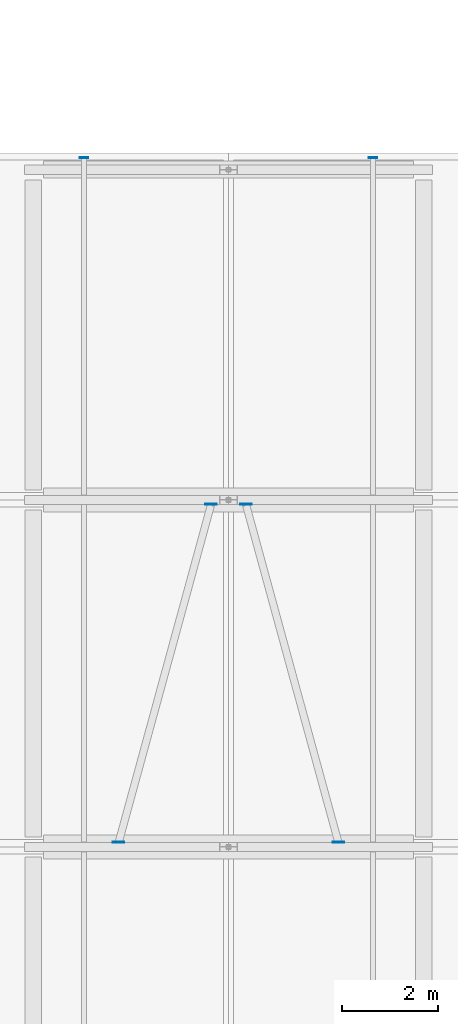
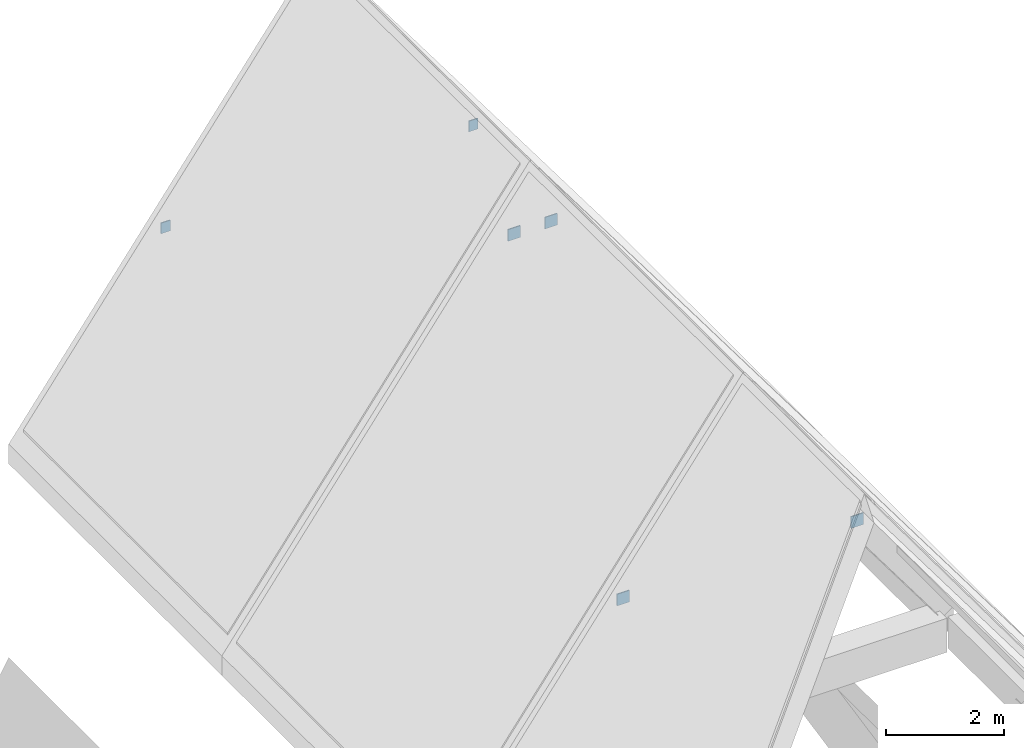
# One storey, part 21 of 29: 6 discrete accessories.
"""IFC4 building model written with IfcOpenShell, lengths in metres."""

import ifcopenshell
import ifcopenshell.guid

model = None  # the IFC model being written
_history = None  # IfcOwnerHistory: only IFC2X3 demands one
_inside = {}  # id of a spatial element -> (the spatial element, [elements in it])
_under = {}  # id of a project, library or spatial element -> (it, [spatial elements below it])
_declared = {}  # id of a project -> (the project, [libraries it declares])
_typed = {}  # id of a type object -> (the type object, [elements of that type])
_made_of = {}  # id of a material, layer set ... -> (it, [elements and type objects made of it])


def new_model(schema):
    """Start an empty IFC model of exactly this schema.

    Asked for "IFC4X3", IfcOpenShell would pick the latest addendum, in which some entities
    have other attributes; the version numbers below select the first issue.
    IFC2X3 requires an IfcOwnerHistory on every rooted entity: one is made here for all.
    """
    global model, _history
    if schema == "IFC4X3":
        model = ifcopenshell.file(schema_version=(4, 3, 0, 0))
    else:
        model = ifcopenshell.file(schema=schema)
    _inside.clear()
    _under.clear()
    _declared.clear()
    _typed.clear()
    _made_of.clear()
    _history = None
    if model.schema == "IFC2X3":
        org = make("IfcOrganization", Name="unknown")
        user = make(
            "IfcPersonAndOrganization",
            ThePerson=make("IfcPerson", FamilyName="unknown"),
            TheOrganization=org,
        )
        app = make(
            "IfcApplication",
            ApplicationDeveloper=org,
            Version="unknown",
            ApplicationFullName="unknown",
            ApplicationIdentifier="unknown",
        )
        _history = make(
            "IfcOwnerHistory",
            OwningUser=user,
            OwningApplication=app,
            ChangeAction="ADDED",
            CreationDate=0,
        )
    return model


def make(cls, **values):
    """One entity of the class cls with the attributes given. An attribute that is None is left unset."""
    return model.create_entity(
        cls, **{name: value for name, value in values.items() if value is not None}
    )


def rooted(cls, **values):
    """An entity with a GlobalId (a new one), such as an element, a storey or a relation."""
    return make(cls, GlobalId=ifcopenshell.guid.new(), OwnerHistory=_history, **values)


def si_unit(unit_type, name, prefix=None):
    """IfcSIUnit, for example si_unit("LENGTHUNIT", "METRE", prefix="MILLI")."""
    return make("IfcSIUnit", UnitType=unit_type, Prefix=prefix, Name=name)


def derived_unit(unit_type, elements):
    """IfcDerivedUnit: a product of units, each with its exponent."""
    return make(
        "IfcDerivedUnit",
        Elements=[
            make("IfcDerivedUnitElement", Unit=unit, Exponent=power)
            for unit, power in elements
        ],
        UnitType=unit_type,
    )


def assignment(units):
    """IfcUnitAssignment: the units of a project."""
    return None if units is None else make("IfcUnitAssignment", Units=units)


def point(xyz):
    """IfcCartesianPoint."""
    return None if xyz is None else make("IfcCartesianPoint", Coordinates=xyz)


def direction(xyz):
    """IfcDirection."""
    return None if xyz is None else make("IfcDirection", DirectionRatios=xyz)


def frame(location, z_axis=None, x_axis=None):
    """IfcAxis2Placement3D, a coordinate frame: its origin and axes. An axis left out is left unset."""
    return make(
        "IfcAxis2Placement3D",
        Location=point(location),
        Axis=direction(z_axis),
        RefDirection=direction(x_axis),
    )


def frame_2d(location, x_axis=None):
    """IfcAxis2Placement2D, a coordinate frame in the plane: its origin and x axis."""
    return make(
        "IfcAxis2Placement2D", Location=point(location), RefDirection=direction(x_axis)
    )


def origin():
    """The frame at (0, 0, 0) with its axes left unset."""
    return frame((0.0, 0.0, 0.0))


def origin_2d():
    """The frame at (0, 0) in the plane with its x axis left unset."""
    return frame_2d((0.0, 0.0))


def place(relative_to, where):
    """IfcLocalPlacement: puts the frame where relative to a parent placement (None: the world)."""
    return make(
        "IfcLocalPlacement", PlacementRelTo=relative_to, RelativePlacement=where
    )


def context(
    kind, dimensions, precision=None, world=None, true_north=None, identifier=None
):
    """IfcGeometricRepresentationContext, for example the 3D "Model" context."""
    return make(
        "IfcGeometricRepresentationContext",
        ContextIdentifier=identifier,
        ContextType=kind,
        CoordinateSpaceDimension=dimensions,
        Precision=precision,
        WorldCoordinateSystem=world,
        TrueNorth=true_north,
    )


def subcontext(parent, identifier, kind, view, scale=None):
    """IfcGeometricRepresentationSubContext, for example "Body" below "Model"."""
    return make(
        "IfcGeometricRepresentationSubContext",
        ContextIdentifier=identifier,
        ContextType=kind,
        ParentContext=parent,
        TargetScale=scale,
        TargetView=view,
    )


def project(units=None, contexts=None):
    """IfcProject with its units and contexts."""
    return rooted(
        "IfcProject",
        Name="project",
        RepresentationContexts=contexts,
        UnitsInContext=assignment(units),
    )


def spatial(cls, under=None, at=None, **own):
    """A site, building, storey or space (cls), placed at a placement, below another one or the project."""
    s = rooted(cls, ObjectPlacement=at, **own)
    if under is not None:
        _under.setdefault(under.id(), (under, []))[1].append(s)
    return s


def profile(cls, at=None, kind="AREA", **sizes):
    """A parametric profile (cls). Its sizes go by their IFC names, for example OverallWidth=200.0."""
    return make(cls, ProfileType=kind, Position=at, **sizes)


def rectangle(**sizes):
    """IfcRectangleProfileDef."""
    return profile("IfcRectangleProfileDef", **sizes)


def extrude(swept, where, along, depth):
    """IfcExtrudedAreaSolid: the profile swept, set in the frame where, extruded along a direction by depth."""
    return make(
        "IfcExtrudedAreaSolid",
        SweptArea=swept,
        Position=where,
        ExtrudedDirection=direction(along),
        Depth=depth,
    )


def shape(context_of_items, identifier, shape_type, items):
    """IfcShapeRepresentation: the items that make up one representation, for example the "Body"."""
    return make(
        "IfcShapeRepresentation",
        ContextOfItems=context_of_items,
        RepresentationIdentifier=identifier,
        RepresentationType=shape_type,
        Items=items,
    )


def material(Name=None, Category=None):
    """IfcMaterial."""
    return make("IfcMaterial", Name=Name, Category=Category)


def made_of(thing, what):
    """Note that an element or type object is made of a material, layer set ...; save() writes the relation."""
    if what is not None:
        _made_of.setdefault(what.id(), (what, []))[1].append(thing)
    return thing


def type_object(cls, material=None, **own):
    """A type object (cls), such as IfcWallType, which elements share."""
    return made_of(rooted(cls, **own), material)


def element(
    cls,
    number,
    at=None,
    inside=None,
    cuts=None,
    type_object=None,
    material=None,
    context=None,
    identifier="Body",
    shape_type=None,
    held_by="IfcProductDefinitionShape",
    body=None,
    shapes=None,
    **own,
):
    """One element of the class cls, such as IfcWall. Its Tag is "e" and its number.

    at: its placement. inside: the storey or other place that contains it. cuts: it is an
    opening in that element (IfcRelVoidsElement). A single representation is given by context,
    identifier, shape_type and body (its items); several are given by shapes. held_by: the class
    of the entity that holds the representations. save() writes the other relations.
    """
    e = rooted(cls, Tag="e%d" % number, ObjectPlacement=at, **own)
    if body is not None:
        shapes = [shape(context, identifier, shape_type, body)]
    if shapes is not None:
        e.Representation = make(held_by, Representations=shapes)
    if inside is not None:
        _inside.setdefault(inside.id(), (inside, []))[1].append(e)
    if cuts is not None:
        rooted(
            "IfcRelVoidsElement", RelatingBuildingElement=cuts, RelatedOpeningElement=e
        )
    if type_object is not None:
        _typed.setdefault(type_object.id(), (type_object, []))[1].append(e)
    return made_of(e, material)


def aggregate(whole, parts):
    """IfcRelAggregates: a whole, such as a stair, and the parts it consists of."""
    return rooted("IfcRelAggregates", RelatingObject=whole, RelatedObjects=parts)


def save(model, path):
    """Write the relations noted so far, then the file.

    IfcRelAggregates (storeys below a building ...), IfcRelContainedInSpatialStructure (elements
    in a storey), IfcRelDefinesByType, IfcRelAssociatesMaterial and IfcRelDeclares: one each for
    every whole, place, type object, material and project.
    """
    for whole, parts in _under.values():
        aggregate(whole, parts)
    for where, things in _inside.values():
        rooted(
            "IfcRelContainedInSpatialStructure",
            RelatedElements=things,
            RelatingStructure=where,
        )
    for kind, things in _typed.values():
        rooted("IfcRelDefinesByType", RelatedObjects=things, RelatingType=kind)
    for what, things in _made_of.values():
        rooted("IfcRelAssociatesMaterial", RelatedObjects=things, RelatingMaterial=what)
    for by, libraries in _declared.values():
        rooted("IfcRelDeclares", RelatingContext=by, RelatedDefinitions=libraries)
    model.write(path)


model = new_model("IFC4")

# Units and contexts
model_context = context("Model", 3, precision=1e-05, world=origin(), true_north=direction((0.0, 1.0)))
body_context = subcontext(model_context, "Body", "Model", "MODEL_VIEW")
ifc_project = project(units=[si_unit("LENGTHUNIT", "METRE"), si_unit("AREAUNIT", "SQUARE_METRE"), si_unit("VOLUMEUNIT", "CUBIC_METRE"), si_unit("PLANEANGLEUNIT", "RADIAN"), si_unit("MASSUNIT", "GRAM", prefix="KILO"), derived_unit("THERMALTRANSMITTANCEUNIT", [(si_unit("MASSUNIT", "GRAM", prefix="KILO"), 1), (si_unit("TIMEUNIT", "SECOND"), -3), (si_unit("THERMODYNAMICTEMPERATUREUNIT", "KELVIN"), -1)])], contexts=[model_context])

# Site, building, storey
site_placement = place(None, origin())
site = spatial("IfcSite", under=ifc_project, at=site_placement, CompositionType="ELEMENT")
building_placement = place(site_placement, origin())
building = spatial("IfcBuilding", under=site, at=building_placement, Name="Ochrekiln Boulevard Commons", CompositionType="ELEMENT")
storey_placement = place(building_placement, frame((0.0, 0.0, 37.27490234375)))
storey = spatial("IfcBuildingStorey", under=building, at=storey_placement, Name="L11", CompositionType="ELEMENT", Elevation=37.27490234375)

# Discrete accessories
ifc_material = material(Name="Steel A992 Grade 50", Category="steel")
discrete_accessory_type = type_object("IfcDiscreteAccessoryType", Name="ACC-GUS-PLATE", PredefinedType="BRACKET", material=ifc_material)
for number, where, z_axis, x_axis, name in (
    (1, (157.919921875, 36.094970703125, 1.93505859375), (0.0, 0.0, 1.0), (1.0, 0.0, 0.0), "Block C Brace 6W End Gusset Plate A"),
    (2, (159.840087890625, 43.10498046875, 4.52685546875), (0.0, 0.0, 1.0), (1.0, 0.0, 0.0), "Block C Brace 6W End Gusset Plate B"),
    (3, (162.47998046875, 36.094970703125, 1.93505859375), (0.0, 0.0, 1.0), (1.0, 0.0, 0.0), "Block C Brace 6E End Gusset Plate A"),
    (4, (160.56005859375, 43.10498046875, 4.52685546875), (0.0, 0.0, 1.0), (1.0, 0.0, 0.0), "Block C Brace 6E End Gusset Plate B"),
):
    element("IfcDiscreteAccessory", number, at=place(storey_placement, frame(where, z_axis=z_axis, x_axis=x_axis)), inside=storey, type_object=discrete_accessory_type, Name=name, PredefinedType="BRACKET", context=body_context, shape_type="SweptSolid", body=[
        extrude(rectangle(XDim=0.239990234375, YDim=0.02001953125, at=origin_2d()), origin(), (0.0, 0.0, 1.0), 0.239990234375),
    ])
for number, where, z_axis, x_axis, name in (
    (5, (157.199951171875, 50.300048828125, 1.23095703125), (0.0, 0.0, 1.0), (1.0, 0.0, 0.0), "Block C Roof Purlin 7W.1 20 mm Seal End-Cap Plate"),
    (6, (163.199951171875, 50.300048828125, 1.23095703125), (0.0, 0.0, 1.0), (1.0, 0.0, 0.0), "Block C Roof Purlin 7E.1 20 mm Seal End-Cap Plate"),
):
    element("IfcDiscreteAccessory", number, at=place(storey_placement, frame(where, z_axis=z_axis, x_axis=x_axis)), inside=storey, type_object=discrete_accessory_type, Name=name, PredefinedType="BRACKET", context=body_context, shape_type="SweptSolid", body=[
        extrude(rectangle(XDim=0.179931640625, YDim=0.02001953125, at=origin_2d()), origin(), (0.0, 0.0, 1.0), 0.219970703125),
    ])

save(model, "model.ifc")
